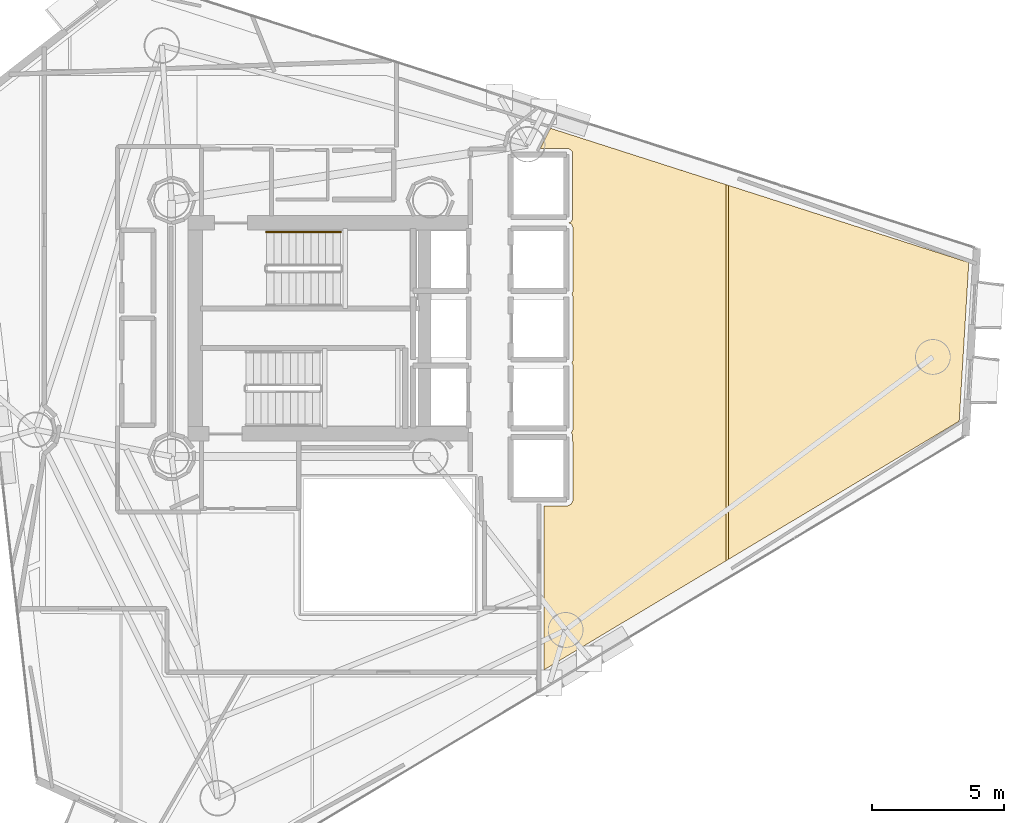
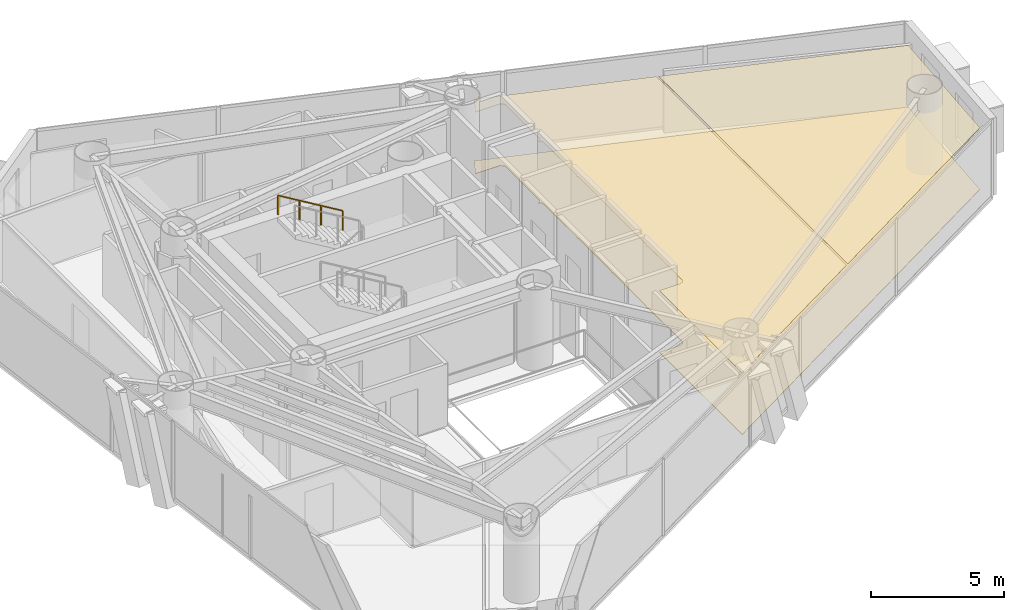
# One storey, part 22 of 22: 3 coverings, 1 railing.
"""IFC4 building model written with IfcOpenShell, lengths in metres."""

from ifc_helpers import new_model, si_unit, direction, frame, origin, origin_2d, place, context, subcontext, project, spatial, polyline, rectangle, outline, extrude, material, layer, layer_set, type_object, element, save


model = new_model("IFC4")

# Units and contexts
model_context = context("Model", 3, precision=1e-05, world=origin(), true_north=direction((0.0, 1.0)))
body_context = subcontext(model_context, "Body", "Model", "MODEL_VIEW")
ifc_project = project(units=[si_unit("LENGTHUNIT", "METRE"), si_unit("AREAUNIT", "SQUARE_METRE"), si_unit("VOLUMEUNIT", "CUBIC_METRE"), si_unit("PLANEANGLEUNIT", "RADIAN"), si_unit("MASSUNIT", "GRAM", prefix="KILO")], contexts=[model_context])

# Site, building, storey
site_placement = place(None, origin())
site = spatial("IfcSite", under=ifc_project, at=site_placement, CompositionType="ELEMENT")
building_placement = place(site_placement, origin())
building = spatial("IfcBuilding", under=site, at=building_placement, Name="Qianvela Tower", CompositionType="ELEMENT")
storey_placement = place(building_placement, frame((0.0, 0.0, 173.5)))
storey = spatial("IfcBuildingStorey", under=building, at=storey_placement, Name="L44", CompositionType="ELEMENT", Elevation=173.5)

# Coverings
ifc_material_1 = material(Name="Perforated Mineral Acoustic Ceiling Tile")
ifc_layer_1 = layer(ifc_material_1, 0.02490234375)
ifc_layer_set_1 = layer_set([ifc_layer_1], Name="Perforated Mineral Acoustic Ceiling Tile")
covering_type_1 = type_object("IfcCoveringType", Name="COV-CEIL-ACOUSTIC-25", PredefinedType="CEILING", material=ifc_layer_set_1)
covering_1_placement = place(storey_placement, frame((0.0, 0.0, 2.81494140625)))
element("IfcCovering", 1, at=covering_1_placement, inside=storey, type_object=covering_type_1, Name="L44 Acoustic Ceiling Bay 1 Graduate Seminar Classroom L44-03", PredefinedType="CEILING", context=body_context, shape_type="SweptSolid", body=[
    extrude(outline(polyline([(42.709228515625, 21.97998046875), (43.59375, 21.980712890625), (43.6025390625, 21.981201171875), (43.611328125, 21.982666015625), (43.619873046875, 21.985107421875), (43.6279296875, 21.98828125), (43.713134765625, 22.02880859375), (43.72021484375, 22.032470703125), (43.726806640625, 22.03662109375), (43.732666015625, 22.041748046875), (43.73828125, 22.04736328125), (43.743408203125, 22.05322265625), (43.74755859375, 22.059814453125), (43.751220703125, 22.06689453125), (43.79150390625, 22.152099609375), (43.79443359375, 22.15869140625), (43.796630859375, 22.165283203125), (43.798095703125, 22.17236328125), (43.799072265625, 22.179443359375), (43.79931640625, 22.1865234375), (43.7939453125, 24.640869140625), (43.793701171875, 24.648681640625), (43.79248046875, 24.656494140625), (43.79052734375, 24.663818359375), (43.787841796875, 24.67138671875), (43.784423828125, 24.678466796875), (43.780517578125, 24.68505859375), (43.737060546875, 24.75), (43.7373046875, 24.750732421875), (43.785888671875, 24.83154296875), (43.7900390625, 24.839111328125), (43.793212890625, 24.84716796875), (43.79541015625, 24.85546875), (43.796875, 24.864013671875), (43.79736328125, 24.87255859375), (43.800048828125, 27.2998046875), (43.799560546875, 27.307861328125), (43.79833984375, 27.31591796875), (43.79638671875, 27.323486328125), (43.793701171875, 27.3310546875), (43.7646484375, 27.39990234375), (43.793701171875, 27.468994140625), (43.79638671875, 27.476318359375), (43.79833984375, 27.484130859375), (43.799560546875, 27.491943359375), (43.800048828125, 27.5), (43.800048828125, 29.89990234375), (43.799560546875, 29.907958984375), (43.79833984375, 29.915771484375), (43.79638671875, 29.923583984375), (43.793701171875, 29.93115234375), (43.7646484375, 30.0), (43.793701171875, 30.06884765625), (43.79638671875, 30.076416015625), (43.79833984375, 30.084228515625), (43.799560546875, 30.092041015625), (43.800048828125, 30.10009765625), (43.800048828125, 32.5), (43.799560546875, 32.509033203125), (43.7978515625, 32.518310546875), (43.79541015625, 32.527099609375), (43.763427734375, 32.61572265625), (43.760498046875, 32.623046875), (43.7568359375, 32.6298828125), (43.75244140625, 32.636474609375), (43.74755859375, 32.642578125), (43.741943359375, 32.648193359375), (43.73583984375, 32.653076171875), (43.729248046875, 32.657470703125), (43.722412109375, 32.6611328125), (43.647216796875, 32.69677734375), (43.680908203125, 32.70703125), (43.6884765625, 32.709716796875), (43.695556640625, 32.712890625), (43.7021484375, 32.717041015625), (43.70849609375, 32.7216796875), (43.71435546875, 32.72705078125), (43.719482421875, 32.73291015625), (43.771240234375, 32.795654296875), (43.77587890625, 32.802001953125), (43.77978515625, 32.808837890625), (43.783203125, 32.81591796875), (43.785888671875, 32.8232421875), (43.787841796875, 32.830810546875), (43.7890625, 32.838623046875), (43.789306640625, 32.8466796875), (43.783447265625, 35.3662109375), (43.783203125, 35.3740234375), (43.781982421875, 35.381591796875), (43.780029296875, 35.389404296875), (43.77734375, 35.396728515625), (43.77392578125, 35.40380859375), (43.77001953125, 35.410400390625), (43.765380859375, 35.416748046875), (43.760009765625, 35.422607421875), (43.754150390625, 35.427734375), (43.747802734375, 35.4326171875), (43.63818359375, 35.505859375), (43.63134765625, 35.510009765625), (43.62451171875, 35.51318359375), (43.616943359375, 35.515869140625), (43.609375, 35.517822265625), (43.6015625, 35.518798828125), (43.59375, 35.519287109375), (42.565185546875, 35.52001953125), (42.951904296875, 36.27734375), (49.606689453125, 34.1416015625), (49.606689453125, 19.90185546875), (42.7099609375, 15.77197265625), (42.709228515625, 21.97998046875)])), origin(), (0.0, 0.0, 1.0), 0.025146484375),
])
covering_2_placement = place(storey_placement, frame((0.0, 0.0, 2.81494140625)))
element("IfcCovering", 2, at=covering_2_placement, inside=storey, type_object=covering_type_1, Name="L44 Acoustic Ceiling Bay 2 Graduate Seminar Classroom L44-03", PredefinedType="CEILING", context=body_context, shape_type="SweptSolid", body=[
    extrude(outline(polyline([(58.793212890625, 31.193359375), (58.429443359375, 25.184814453125), (49.686767578125, 19.94970703125), (49.686767578125, 34.115966796875), (58.793212890625, 31.193359375)])), origin(), (0.0, 0.0, 1.0), 0.025146484375),
])
ifc_material_2 = material(Name="Engineered Acoustic Oak Timber Flooring", Category="wood")
ifc_layer_2 = layer(ifc_material_2, 0.02001953125)
ifc_layer_set_2 = layer_set([ifc_layer_2], Name="Engineered Acoustic Oak Timber Flooring")
covering_type_2 = type_object("IfcCoveringType", Name="COV-FLOOR-OAK-20", PredefinedType="FLOORING", material=ifc_layer_set_2)
covering_3_placement = place(storey_placement, origin())
element("IfcCovering", 3, at=covering_3_placement, inside=storey, type_object=covering_type_2, Name="L44 Finish Flooring Graduate Seminar Classroom L44-03", PredefinedType="FLOORING", context=body_context, shape_type="SweptSolid", body=[
    extrude(outline(polyline([(42.7099609375, 15.77197265625), (42.709228515625, 21.97998046875), (43.59375, 21.980712890625), (43.6025390625, 21.981201171875), (43.611328125, 21.982666015625), (43.619873046875, 21.985107421875), (43.6279296875, 21.98828125), (43.713134765625, 22.02880859375), (43.72021484375, 22.032470703125), (43.726806640625, 22.03662109375), (43.732666015625, 22.041748046875), (43.73828125, 22.04736328125), (43.743408203125, 22.05322265625), (43.74755859375, 22.059814453125), (43.751220703125, 22.06689453125), (43.79150390625, 22.152099609375), (43.79443359375, 22.15869140625), (43.796630859375, 22.165283203125), (43.798095703125, 22.17236328125), (43.799072265625, 22.179443359375), (43.79931640625, 22.1865234375), (43.7939453125, 24.640869140625), (43.793701171875, 24.648681640625), (43.79248046875, 24.656494140625), (43.79052734375, 24.663818359375), (43.787841796875, 24.67138671875), (43.784423828125, 24.678466796875), (43.780517578125, 24.68505859375), (43.737060546875, 24.75), (43.7373046875, 24.750732421875), (43.785888671875, 24.83154296875), (43.7900390625, 24.839111328125), (43.793212890625, 24.84716796875), (43.79541015625, 24.85546875), (43.796875, 24.864013671875), (43.79736328125, 24.87255859375), (43.800048828125, 27.2998046875), (43.799560546875, 27.307861328125), (43.79833984375, 27.31591796875), (43.79638671875, 27.323486328125), (43.793701171875, 27.3310546875), (43.7646484375, 27.39990234375), (43.793701171875, 27.468994140625), (43.79638671875, 27.476318359375), (43.79833984375, 27.484130859375), (43.799560546875, 27.491943359375), (43.800048828125, 27.5), (43.800048828125, 29.89990234375), (43.799560546875, 29.907958984375), (43.79833984375, 29.915771484375), (43.79638671875, 29.923583984375), (43.793701171875, 29.93115234375), (43.7646484375, 30.0), (43.793701171875, 30.06884765625), (43.79638671875, 30.076416015625), (43.79833984375, 30.084228515625), (43.799560546875, 30.092041015625), (43.800048828125, 30.10009765625), (43.800048828125, 32.5), (43.799560546875, 32.509033203125), (43.7978515625, 32.518310546875), (43.79541015625, 32.527099609375), (43.763427734375, 32.61572265625), (43.760498046875, 32.623046875), (43.7568359375, 32.6298828125), (43.75244140625, 32.636474609375), (43.74755859375, 32.642578125), (43.741943359375, 32.648193359375), (43.73583984375, 32.653076171875), (43.729248046875, 32.657470703125), (43.722412109375, 32.6611328125), (43.647216796875, 32.69677734375), (43.680908203125, 32.70703125), (43.6884765625, 32.709716796875), (43.695556640625, 32.712890625), (43.7021484375, 32.717041015625), (43.70849609375, 32.7216796875), (43.71435546875, 32.72705078125), (43.719482421875, 32.73291015625), (43.771240234375, 32.795654296875), (43.77587890625, 32.802001953125), (43.77978515625, 32.808837890625), (43.783203125, 32.81591796875), (43.785888671875, 32.8232421875), (43.787841796875, 32.830810546875), (43.7890625, 32.838623046875), (43.789306640625, 32.8466796875), (43.783447265625, 35.3662109375), (43.783203125, 35.3740234375), (43.781982421875, 35.381591796875), (43.780029296875, 35.389404296875), (43.77734375, 35.396728515625), (43.77392578125, 35.40380859375), (43.77001953125, 35.410400390625), (43.765380859375, 35.416748046875), (43.760009765625, 35.422607421875), (43.754150390625, 35.427734375), (43.747802734375, 35.4326171875), (43.63818359375, 35.505859375), (43.63134765625, 35.510009765625), (43.62451171875, 35.51318359375), (43.616943359375, 35.515869140625), (43.609375, 35.517822265625), (43.6015625, 35.518798828125), (43.59375, 35.519287109375), (42.565185546875, 35.52001953125), (42.951904296875, 36.27734375), (58.793212890625, 31.193359375), (58.429443359375, 25.184814453125), (42.7099609375, 15.77197265625)])), origin(), (0.0, 0.0, 1.0), 0.02001953125),
])

# Railing
ifc_material_3 = material(Name="Brushed Stainless Steel 304", Category="steel")
railing_type = type_object("IfcRailingType", Name="RL-STAIR-HANDRAIL-900", PredefinedType="HANDRAIL", material=ifc_material_3)
railing_placement = place(storey_placement, frame((35.0, 32.35009765625, 2.01806640625)))
element("IfcRailing", 4, at=railing_placement, inside=storey, type_object=railing_type, Name="L44 ST-1 stair handrail 2", PredefinedType="HANDRAIL", context=body_context, shape_type="SweptSolid", body=[
    extrude(rectangle(XDim=0.050048828125, YDim=0.0400390625, at=origin_2d()), frame((0.0, 0.0, 0.8798828125), z_axis=(-0.857242210791, 0.0, 0.514913383045), x_axis=(0.0, -1.0, 0.0)), (0.0, 0.0, 1.0), 3.266357421875),
    extrude(rectangle(XDim=0.050048828125, YDim=0.050048828125, at=origin_2d()), origin(), (0.0, 0.0, 1.0), 0.85986328125),
    extrude(rectangle(XDim=0.050048828125, YDim=0.050048828125, at=origin_2d()), frame((-0.933349609375, 0.0, 0.560546875)), (0.0, 0.0, 1.0), 0.85986328125),
    extrude(rectangle(XDim=0.050048828125, YDim=0.050048828125, at=origin_2d()), frame((-1.86669921875, 0.0, 1.121337890625)), (0.0, 0.0, 1.0), 0.85986328125),
    extrude(rectangle(XDim=0.050048828125, YDim=0.050048828125, at=origin_2d()), frame((-2.800048828125, 0.0, 1.681884765625)), (0.0, 0.0, 1.0), 0.85986328125),
])

save(model, "model.ifc")
